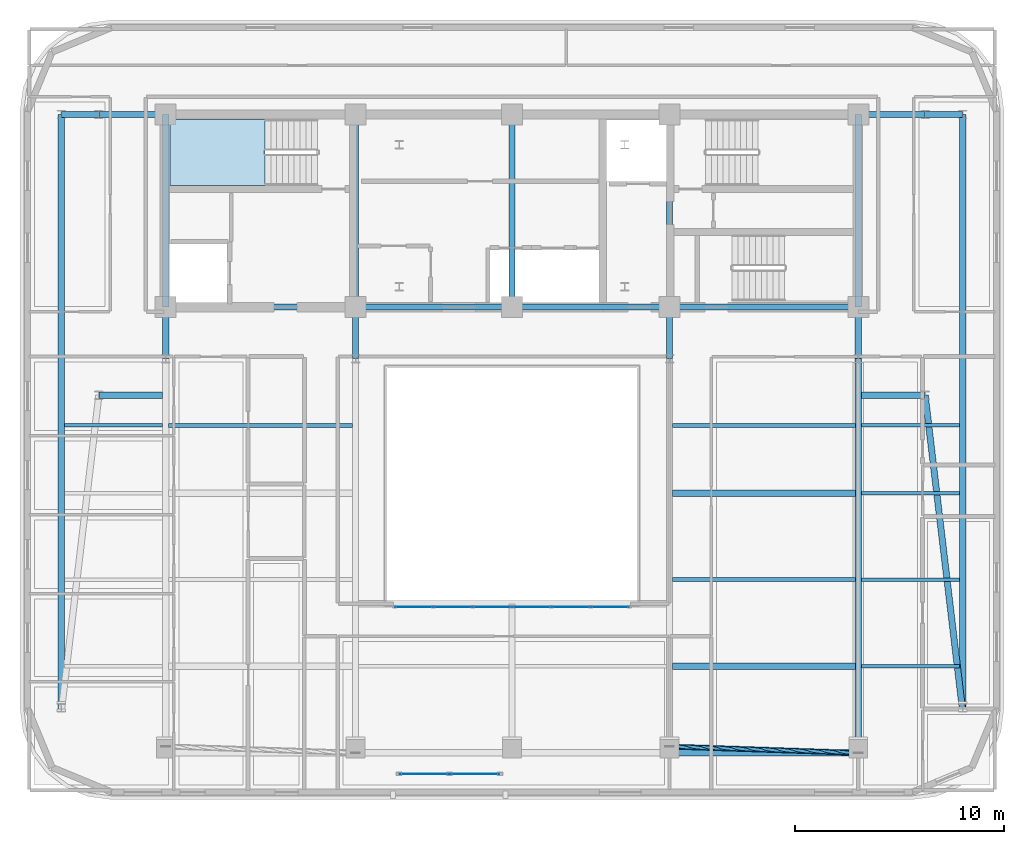
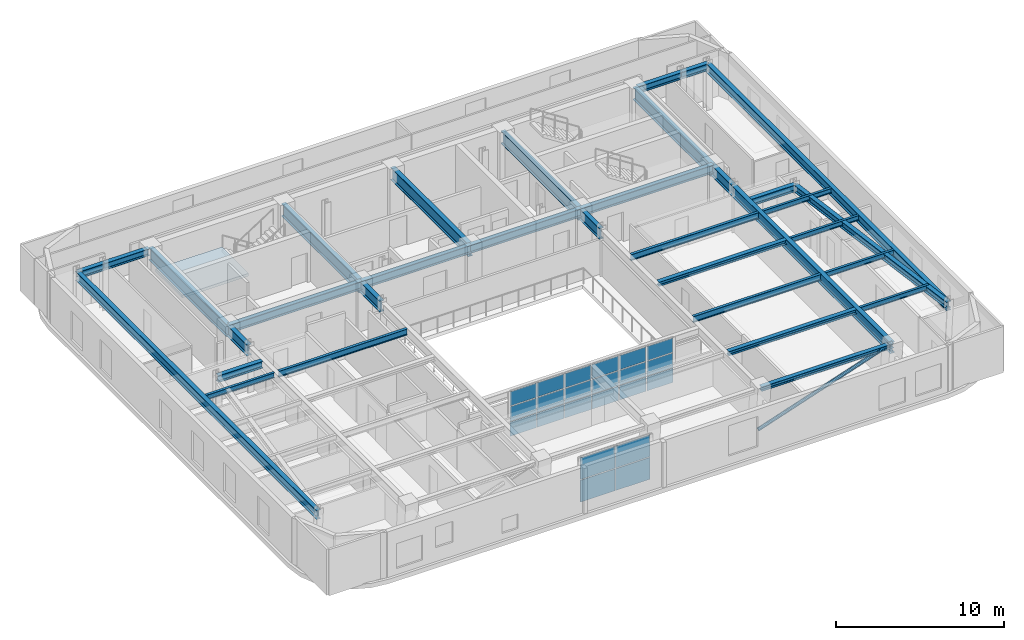
# One storey, part 3 of 14: 34 beams, 22 plates, 1 member, 1 slab, 3 elements without a shape of their own.
"""IFC4 building model written with IfcOpenShell, lengths in metres."""

from ifc_helpers import new_model, si_unit, direction, frame, origin, origin_2d, place, context, subcontext, project, spatial, polyline, rectangle, hollow_circle, i_section, outline, extrude, material, layer, layer_set, material_profile, profile_set, type_object, element, aggregate, save


model = new_model("IFC4")

# Units and contexts
model_context = context("Model", 3, precision=1e-05, world=origin(), true_north=direction((0.0, 1.0)))
body_context = subcontext(model_context, "Body", "Model", "MODEL_VIEW")
ifc_project = project(units=[si_unit("LENGTHUNIT", "METRE"), si_unit("AREAUNIT", "SQUARE_METRE"), si_unit("VOLUMEUNIT", "CUBIC_METRE"), si_unit("PLANEANGLEUNIT", "RADIAN"), si_unit("MASSUNIT", "GRAM", prefix="KILO")], contexts=[model_context])

# Site, building, storey
site_placement = place(None, origin())
site = spatial("IfcSite", under=ifc_project, at=site_placement, CompositionType="ELEMENT")
building_placement = place(site_placement, origin())
building = spatial("IfcBuilding", under=site, at=building_placement, Name="Zarnavel Station Tower", CompositionType="ELEMENT")
storey_placement = place(building_placement, frame((0.0, 0.0, 214.800048828125)))
storey = spatial("IfcBuildingStorey", under=building, at=storey_placement, Name="L58", CompositionType="ELEMENT", Elevation=214.800048828125)

# Member
ifc_material_1 = material(Name="Steel S355J2", Category="steel")
ifc_material_profile_1 = material_profile(ifc_material_1, hollow_circle(Radius=0.122314453125, WallThickness=0.010009765625, at=origin_2d()), Name="CHS244.5x10")
ifc_profile_set_1 = profile_set([ifc_material_profile_1], Name="Steel S355J2")
member_type = type_object("IfcMemberType", Name="DB_EXT_CHS245", PredefinedType="BRACE", material=ifc_profile_set_1)
member_placement = place(storey_placement, frame((36.35009765625, 6.7626953125, 0.0), z_axis=(0.937690212124, -0.031342348463, 0.346055953973), x_axis=(0.033406400472, 0.999441850438, 0.0)))
element("IfcMember", 1, at=member_placement, inside=storey, type_object=member_type, Name="L58 Persian Exterior Diagonal Frame Brace 2", PredefinedType="BRACE", context=body_context, shape_type="SweptSolid", body=[
    extrude(hollow_circle(Radius=0.122314453125, WallThickness=0.010009765625, at=origin_2d()), origin(), (0.0, 0.0, 1.0), 9.651123046875),
])

# Beams
ifc_material_2 = material(Name="Steel S355J2", Category="steel")
ifc_material_profile_2 = material_profile(ifc_material_2, i_section(OverallWidth=0.300048828125, OverallDepth=0.320068359375, WebThickness=0.011474609375, FlangeThickness=0.0205078125, FilletRadius=0.027099609375, at=origin_2d()), Name="HEB320")
ifc_profile_set_2 = profile_set([ifc_material_profile_2], Name="Steel S355J2")
beam_type_1 = type_object("IfcBeamType", Name="EB_HEB320", PredefinedType="SPANDREL", material=ifc_profile_set_2)
beam_1_placement = place(storey_placement, frame((36.35009765625, 6.460205078125, 3.179931640625), z_axis=(1.0, 0.0, 0.0), x_axis=(0.0, 1.0, 0.0)))
element("IfcBeam", 2, at=beam_1_placement, inside=storey, type_object=beam_type_1, Name="L58 South Raked Spandrel 4", PredefinedType="SPANDREL", context=body_context, shape_type="SweptSolid", body=[
    extrude(i_section(OverallWidth=0.300048828125, OverallDepth=0.320068359375, WebThickness=0.011474609375, FlangeThickness=0.0205078125, FilletRadius=0.027099609375, at=origin_2d()), origin(), (0.0, 0.0, 1.0), 9.0498046875),
])
ifc_material_3 = material(Name="Steel S355J2", Category="steel")
ifc_material_profile_3 = material_profile(ifc_material_3, i_section(OverallWidth=0.300048828125, OverallDepth=0.31005859375, WebThickness=0.009033203125, FlangeThickness=0.015380859375, FilletRadius=0.027099609375, at=origin_2d()), Name="HEA320")
ifc_profile_set_3 = profile_set([ifc_material_profile_3], Name="Steel S355J2")
beam_type_2 = type_object("IfcBeamType", Name="FB_HEA320", PredefinedType="BEAM", material=ifc_profile_set_3)
for number, where, z_axis, x_axis, name in (
    (3, (36.4951171875, 10.608154296875, 3.18505859375), (1.0, 0.0, 0.0), (0.0, 1.0, 0.0), "L58 East Bay Beam 1"),
    (4, (36.4951171875, 18.904052734375, 3.18505859375), (1.0, 0.0, 0.0), (0.0, 1.0, 0.0), "L58 East Bay Beam 3"),
):
    element("IfcBeam", number, at=place(storey_placement, frame(where, z_axis=z_axis, x_axis=x_axis)), inside=storey, type_object=beam_type_2, Name=name, PredefinedType="BEAM", context=body_context, shape_type="SweptSolid", body=[
        extrude(i_section(OverallWidth=0.300048828125, OverallDepth=0.31005859375, WebThickness=0.009033203125, FlangeThickness=0.015380859375, FilletRadius=0.027099609375, at=origin_2d()), origin(), (0.0, 0.0, 1.0), 8.759765625),
    ])
ifc_material_4 = material(Name="Steel S355J2", Category="steel")
ifc_material_profile_4 = material_profile(ifc_material_4, i_section(OverallWidth=0.18994140625, OverallDepth=0.449951171875, WebThickness=0.009521484375, FlangeThickness=0.0146484375, FilletRadius=0.02099609375, at=origin_2d()), Name="IPE450")
ifc_profile_set_4 = profile_set([ifc_material_profile_4], Name="Steel S355J2")
beam_type_3 = type_object("IfcBeamType", Name="FB_IPE450", PredefinedType="BEAM", material=ifc_profile_set_4)
beam_2_placement = place(storey_placement, frame((36.4951171875, 14.756103515625, 3.114990234375), z_axis=(1.0, 0.0, 0.0), x_axis=(0.0, 1.0, 0.0)))
element("IfcBeam", 5, at=beam_2_placement, inside=storey, type_object=beam_type_3, Name="L58 East Bay Beam 2", PredefinedType="BEAM", context=body_context, shape_type="SweptSolid", body=[
    extrude(i_section(OverallWidth=0.18994140625, OverallDepth=0.449951171875, WebThickness=0.009521484375, FlangeThickness=0.0146484375, FilletRadius=0.02099609375, at=origin_2d()), origin(), (0.0, 0.0, 1.0), 8.759765625),
])
beam_3_placement = place(storey_placement, frame((12.344970703125, 22.152099609375, 3.114990234375), z_axis=(1.0, 0.0, 0.0), x_axis=(0.0, 1.0, 0.0)))
element("IfcBeam", 6, at=beam_3_placement, inside=storey, type_object=beam_type_3, Name="L58 West Bay Beam 4", PredefinedType="BEAM", context=body_context, shape_type="SweptSolid", body=[
    extrude(i_section(OverallWidth=0.18994140625, OverallDepth=0.449951171875, WebThickness=0.009521484375, FlangeThickness=0.0146484375, FilletRadius=0.02099609375, at=origin_2d()), origin(), (0.0, 0.0, 1.0), 8.81005859375),
])
beam_4_placement = place(storey_placement, frame((36.4951171875, 22.152099609375, 3.114990234375), z_axis=(1.0, 0.0, 0.0), x_axis=(0.0, 1.0, 0.0)))
element("IfcBeam", 7, at=beam_4_placement, inside=storey, type_object=beam_type_3, Name="L58 East Bay Beam 4", PredefinedType="BEAM", context=body_context, shape_type="SweptSolid", body=[
    extrude(i_section(OverallWidth=0.18994140625, OverallDepth=0.449951171875, WebThickness=0.009521484375, FlangeThickness=0.0146484375, FilletRadius=0.02099609375, at=origin_2d()), origin(), (0.0, 0.0, 1.0), 8.759765625),
])
ifc_material_5 = material(Name="Steel S355J2", Category="steel")
ifc_material_profile_5 = material_profile(ifc_material_5, i_section(OverallWidth=0.300048828125, OverallDepth=0.5, WebThickness=0.014404296875, FlangeThickness=0.028076171875, FilletRadius=0.027099609375, at=origin_2d()), Name="HEB500")
ifc_profile_set_5 = profile_set([ifc_material_profile_5], Name="Steel S355J2")
beam_type_4 = type_object("IfcBeamType", Name="FG_HEB500", PredefinedType="USERDEFINED", material=ifc_profile_set_5)
beam_5_placement = place(storey_placement, frame((7.199951171875, 37.050048828125, 3.08984375), z_axis=(1.0, 0.0, 0.0), x_axis=(0.0, 1.0, 0.0)))
element("IfcBeam", 8, at=beam_5_placement, inside=storey, type_object=beam_type_4, Name="L58 West Wing North Tie 1", ObjectType="GIRDER", PredefinedType="USERDEFINED", context=body_context, shape_type="SweptSolid", body=[
    extrude(i_section(OverallWidth=0.300048828125, OverallDepth=0.5, WebThickness=0.014404296875, FlangeThickness=0.028076171875, FilletRadius=0.027099609375, at=origin_2d()), origin(), (0.0, 0.0, 1.0), 1.800048828125),
])
for number, where, z_axis, x_axis, name in (
    (9, (9.0, 23.60009765625, 3.08984375), (1.0, 0.0, 0.0), (0.0, 1.0, 0.0), "L58 West Wing South Tie 2"),
    (10, (9.0, 37.050048828125, 3.08984375), (1.0, 0.0, 0.0), (0.0, 1.0, 0.0), "L58 West Wing North Tie 2"),
):
    element("IfcBeam", number, at=place(storey_placement, frame(where, z_axis=z_axis, x_axis=x_axis)), inside=storey, type_object=beam_type_4, Name=name, ObjectType="GIRDER", PredefinedType="USERDEFINED", context=body_context, shape_type="SweptSolid", body=[
        extrude(i_section(OverallWidth=0.300048828125, OverallDepth=0.5, WebThickness=0.014404296875, FlangeThickness=0.028076171875, FilletRadius=0.027099609375, at=origin_2d()), origin(), (0.0, 0.0, 1.0), 3.054931640625),
    ])
for number, where, z_axis, x_axis, name in (
    (11, (45.544921875, 23.60009765625, 3.08984375), (1.0, 0.0, 0.0), (0.0, 1.0, 0.0), "L58 East Wing South Tie 1"),
    (12, (45.544921875, 37.050048828125, 3.08984375), (1.0, 0.0, 0.0), (0.0, 1.0, 0.0), "L58 East Wing North Tie 1"),
):
    element("IfcBeam", number, at=place(storey_placement, frame(where, z_axis=z_axis, x_axis=x_axis)), inside=storey, type_object=beam_type_4, Name=name, ObjectType="GIRDER", PredefinedType="USERDEFINED", context=body_context, shape_type="SweptSolid", body=[
        extrude(i_section(OverallWidth=0.300048828125, OverallDepth=0.5, WebThickness=0.014404296875, FlangeThickness=0.028076171875, FilletRadius=0.027099609375, at=origin_2d()), origin(), (0.0, 0.0, 1.0), 3.05517578125),
    ])
beam_6_placement = place(storey_placement, frame((48.60009765625, 23.60009765625, 3.08984375), z_axis=(0.117897126915, -0.993025814098, 0.0), x_axis=(0.993025814098, 0.117897126915, 0.0)))
element("IfcBeam", 13, at=beam_6_placement, inside=storey, type_object=beam_type_4, Name="L58 East Wing South Tie 2", ObjectType="GIRDER", PredefinedType="USERDEFINED", context=body_context, shape_type="SweptSolid", body=[
    extrude(i_section(OverallWidth=0.300048828125, OverallDepth=0.5, WebThickness=0.014404296875, FlangeThickness=0.028076171875, FilletRadius=0.027099609375, at=origin_2d()), origin(), (0.0, 0.0, 1.0), 15.265869140625),
])
beam_7_placement = place(storey_placement, frame((48.60009765625, 37.050048828125, 3.08984375), z_axis=(1.0, 0.0, 0.0), x_axis=(0.0, 1.0, 0.0)))
element("IfcBeam", 14, at=beam_7_placement, inside=storey, type_object=beam_type_4, Name="L58 East Wing North Tie 2", ObjectType="GIRDER", PredefinedType="USERDEFINED", context=body_context, shape_type="SweptSolid", body=[
    extrude(i_section(OverallWidth=0.300048828125, OverallDepth=0.5, WebThickness=0.014404296875, FlangeThickness=0.028076171875, FilletRadius=0.027099609375, at=origin_2d()), origin(), (0.0, 0.0, 1.0), 1.7998046875),
])
ifc_material_6 = material(Name="Steel S355J2", Category="steel")
ifc_material_profile_6 = material_profile(ifc_material_6, i_section(OverallWidth=0.300048828125, OverallDepth=0.60009765625, WebThickness=0.015380859375, FlangeThickness=0.030029296875, FilletRadius=0.027099609375, at=origin_2d()), Name="HEB600")
ifc_profile_set_6 = profile_set([ifc_material_profile_6], Name="Steel S355J2")
beam_type_5 = type_object("IfcBeamType", Name="FG_HEB600", PredefinedType="USERDEFINED", material=ifc_profile_set_6)
beam_8_placement = place(storey_placement, frame((12.199951171875, 27.820068359375, 3.0400390625), z_axis=(1.0, 0.0, 0.0), x_axis=(0.0, 1.0, 0.0)))
element("IfcBeam", 15, at=beam_8_placement, inside=storey, type_object=beam_type_5, Name="L58 Core Front Coupling Beam 1", ObjectType="GIRDER", PredefinedType="USERDEFINED", context=body_context, shape_type="SweptSolid", body=[
    extrude(i_section(OverallWidth=0.300048828125, OverallDepth=0.60009765625, WebThickness=0.015380859375, FlangeThickness=0.030029296875, FilletRadius=0.027099609375, at=origin_2d()), origin(), (0.0, 0.0, 1.0), 9.10009765625),
])
beam_9_placement = place(storey_placement, frame((21.300048828125, 27.820068359375, 3.0400390625), z_axis=(1.0, 0.0, 0.0), x_axis=(0.0, 1.0, 0.0)))
element("IfcBeam", 16, at=beam_9_placement, inside=storey, type_object=beam_type_5, Name="L58 Core Front Coupling Beam 2", ObjectType="GIRDER", PredefinedType="USERDEFINED", context=body_context, shape_type="SweptSolid", body=[
    extrude(i_section(OverallWidth=0.300048828125, OverallDepth=0.60009765625, WebThickness=0.015380859375, FlangeThickness=0.030029296875, FilletRadius=0.027099609375, at=origin_2d()), origin(), (0.0, 0.0, 1.0), 7.5),
])
beam_10_placement = place(storey_placement, frame((28.800048828125, 27.820068359375, 3.0400390625), z_axis=(1.0, 0.0, 0.0), x_axis=(0.0, 1.0, 0.0)))
element("IfcBeam", 17, at=beam_10_placement, inside=storey, type_object=beam_type_5, Name="L58 Core Front Coupling Beam 3", ObjectType="GIRDER", PredefinedType="USERDEFINED", context=body_context, shape_type="SweptSolid", body=[
    extrude(i_section(OverallWidth=0.300048828125, OverallDepth=0.60009765625, WebThickness=0.015380859375, FlangeThickness=0.030029296875, FilletRadius=0.027099609375, at=origin_2d()), origin(), (0.0, 0.0, 1.0), 7.550048828125),
])
beam_11_placement = place(storey_placement, frame((36.35009765625, 27.820068359375, 3.0400390625), z_axis=(1.0, 0.0, 0.0), x_axis=(0.0, 1.0, 0.0)))
element("IfcBeam", 18, at=beam_11_placement, inside=storey, type_object=beam_type_5, Name="L58 Core Front Coupling Beam 4", ObjectType="GIRDER", PredefinedType="USERDEFINED", context=body_context, shape_type="SweptSolid", body=[
    extrude(i_section(OverallWidth=0.300048828125, OverallDepth=0.60009765625, WebThickness=0.015380859375, FlangeThickness=0.030029296875, FilletRadius=0.027099609375, at=origin_2d()), origin(), (0.0, 0.0, 1.0), 9.0498046875),
])
ifc_material_7 = material(Name="Steel S355J2", Category="steel")
ifc_material_profile_7 = material_profile(ifc_material_7, i_section(OverallWidth=0.300048828125, OverallDepth=0.64990234375, WebThickness=0.01611328125, FlangeThickness=0.031005859375, FilletRadius=0.027099609375, at=origin_2d()), Name="HEB650")
ifc_profile_set_7 = profile_set([ifc_material_profile_7], Name="Steel S355J2")
beam_type_6 = type_object("IfcBeamType", Name="FG_HEB650", PredefinedType="USERDEFINED", material=ifc_profile_set_7)
for number, where, z_axis, x_axis, name in (
    (19, (7.199951171875, 8.440673828125, 3.014892578125), (0.0, 1.0, 0.0), (-1.0, 0.0, 0.0), "L58 Wing NS Girder 1"),
    (20, (50.39990234375, 8.440673828125, 3.014892578125), (0.0, 1.0, 0.0), (-1.0, 0.0, 0.0), "L58 Wing NS Girder 2"),
):
    element("IfcBeam", number, at=place(storey_placement, frame(where, z_axis=z_axis, x_axis=x_axis)), inside=storey, type_object=beam_type_6, Name=name, ObjectType="GIRDER", PredefinedType="USERDEFINED", context=body_context, shape_type="SweptSolid", body=[
        extrude(i_section(OverallWidth=0.300048828125, OverallDepth=0.64990234375, WebThickness=0.01611328125, FlangeThickness=0.031005859375, FilletRadius=0.027099609375, at=origin_2d()), origin(), (0.0, 0.0, 1.0), 28.609375),
    ])
ifc_material_8 = material(Name="Steel S355J2", Category="steel")
ifc_material_profile_8 = material_profile(ifc_material_8, i_section(OverallWidth=0.300048828125, OverallDepth=0.800048828125, WebThickness=0.017578125, FlangeThickness=0.032958984375, FilletRadius=0.030029296875, at=origin_2d()), Name="HEB800")
ifc_profile_set_8 = profile_set([ifc_material_profile_8], Name="Steel S355J2")
beam_type_7 = type_object("IfcBeamType", Name="FG_HEB800", PredefinedType="USERDEFINED", material=ifc_profile_set_8)
for number, where, z_axis, x_axis, name in (
    (21, (12.199951171875, 25.35009765625, 2.93994140625), (0.0, 1.0, 0.0), (-1.0, 0.0, 0.0), "L58 Inner-Zone NS Girder 1"),
    (22, (21.300048828125, 25.35009765625, 2.93994140625), (0.0, 1.0, 0.0), (-1.0, 0.0, 0.0), "L58 Inner-Zone NS Girder 2"),
    (23, (36.35009765625, 25.35009765625, 2.93994140625), (0.0, 1.0, 0.0), (-1.0, 0.0, 0.0), "L58 Inner-Zone NS Girder 4"),
):
    element("IfcBeam", number, at=place(storey_placement, frame(where, z_axis=z_axis, x_axis=x_axis)), inside=storey, type_object=beam_type_7, Name=name, ObjectType="GIRDER", PredefinedType="USERDEFINED", context=body_context, shape_type="SweptSolid", body=[
        extrude(i_section(OverallWidth=0.300048828125, OverallDepth=0.800048828125, WebThickness=0.017578125, FlangeThickness=0.032958984375, FilletRadius=0.030029296875, at=origin_2d()), origin(), (0.0, 0.0, 1.0), 2.469970703125),
    ])
beam_12_placement = place(storey_placement, frame((45.39990234375, 6.460205078125, 2.93994140625), z_axis=(0.0, 1.0, 0.0), x_axis=(-1.0, 0.0, 0.0)))
element("IfcBeam", 24, at=beam_12_placement, inside=storey, type_object=beam_type_7, Name="L58 South-Zone NS Girder 5", ObjectType="GIRDER", PredefinedType="USERDEFINED", context=body_context, shape_type="SweptSolid", body=[
    extrude(i_section(OverallWidth=0.300048828125, OverallDepth=0.800048828125, WebThickness=0.017578125, FlangeThickness=0.032958984375, FilletRadius=0.030029296875, at=origin_2d()), origin(), (0.0, 0.0, 1.0), 18.889892578125),
])
beam_13_placement = place(storey_placement, frame((45.39990234375, 25.35009765625, 2.93994140625), z_axis=(0.0, 1.0, 0.0), x_axis=(-1.0, 0.0, 0.0)))
element("IfcBeam", 25, at=beam_13_placement, inside=storey, type_object=beam_type_7, Name="L58 Inner-Zone NS Girder 5", ObjectType="GIRDER", PredefinedType="USERDEFINED", context=body_context, shape_type="SweptSolid", body=[
    extrude(i_section(OverallWidth=0.300048828125, OverallDepth=0.800048828125, WebThickness=0.017578125, FlangeThickness=0.032958984375, FilletRadius=0.030029296875, at=origin_2d()), origin(), (0.0, 0.0, 1.0), 2.469970703125),
])
ifc_material_9 = material(Name="Steel S355J2", Category="steel")
ifc_material_profile_9 = material_profile(ifc_material_9, i_section(OverallWidth=0.169921875, OverallDepth=0.360107421875, WebThickness=0.008056640625, FlangeThickness=0.0126953125, FilletRadius=0.01806640625, at=origin_2d()), Name="IPE360")
ifc_profile_set_9 = profile_set([ifc_material_profile_9], Name="Steel S355J2")
beam_type_8 = type_object("IfcBeamType", Name="FJ_IPE360", PredefinedType="JOIST", material=ifc_profile_set_9)
for number, where, z_axis, x_axis, name in (
    (26, (45.544921875, 10.608154296875, 3.159912109375), (1.0, 0.0, 0.0), (0.0, 1.0, 0.0), "L58 East Wing Joist 1"),
    (27, (45.544921875, 14.756103515625, 3.159912109375), (1.0, 0.0, 0.0), (0.0, 1.0, 0.0), "L58 East Wing Joist 2"),
    (28, (45.544921875, 18.904052734375, 3.159912109375), (1.0, 0.0, 0.0), (0.0, 1.0, 0.0), "L58 East Wing Joist 3"),
    (29, (7.344970703125, 22.152099609375, 3.159912109375), (1.0, 0.0, 0.0), (0.0, 1.0, 0.0), "L58 West Wing Joist 4"),
    (30, (45.544921875, 22.152099609375, 3.159912109375), (1.0, 0.0, 0.0), (0.0, 1.0, 0.0), "L58 East Wing Joist 4"),
):
    element("IfcBeam", number, at=place(storey_placement, frame(where, z_axis=z_axis, x_axis=x_axis)), inside=storey, type_object=beam_type_8, Name=name, PredefinedType="JOIST", context=body_context, shape_type="SweptSolid", body=[
        extrude(i_section(OverallWidth=0.169921875, OverallDepth=0.360107421875, WebThickness=0.008056640625, FlangeThickness=0.0126953125, FilletRadius=0.01806640625, at=origin_2d()), origin(), (0.0, 0.0, 1.0), 4.7099609375),
    ])
ifc_material_10 = material(Name="Steel S460M", Category="steel")
ifc_material_profile_10 = material_profile(ifc_material_10, i_section(OverallWidth=0.302001953125, OverallDepth=0.909912109375, WebThickness=0.02099609375, FlangeThickness=0.0400390625, FilletRadius=0.030029296875, at=origin_2d()), Name="HEM900")
ifc_profile_set_10 = profile_set([ifc_material_profile_10], Name="Steel S460M")
beam_type_9 = type_object("IfcBeamType", Name="TG_HEM900", PredefinedType="USERDEFINED", material=ifc_profile_set_10)
for number, where, z_axis, x_axis, name in (
    (31, (12.199951171875, 27.820068359375, 2.885009765625), (0.0, 1.0, 0.0), (-1.0, 0.0, 0.0), "L58 Core Spine Coupling Girder 1"),
    (32, (21.300048828125, 27.820068359375, 2.885009765625), (0.0, 1.0, 0.0), (-1.0, 0.0, 0.0), "L58 Core Spine Coupling Girder 2"),
    (33, (28.800048828125, 27.820068359375, 2.885009765625), (0.0, 1.0, 0.0), (-1.0, 0.0, 0.0), "L58 Core Spine Coupling Girder 3"),
    (34, (36.35009765625, 27.820068359375, 2.885009765625), (0.0, 1.0, 0.0), (-1.0, 0.0, 0.0), "L58 Core Spine Coupling Girder 4"),
    (35, (45.39990234375, 27.820068359375, 2.885009765625), (0.0, 1.0, 0.0), (-1.0, 0.0, 0.0), "L58 Core Spine Coupling Girder 5"),
):
    element("IfcBeam", number, at=place(storey_placement, frame(where, z_axis=z_axis, x_axis=x_axis)), inside=storey, type_object=beam_type_9, Name=name, ObjectType="GIRDER", PredefinedType="USERDEFINED", context=body_context, shape_type="SweptSolid", body=[
        extrude(i_section(OverallWidth=0.302001953125, OverallDepth=0.909912109375, WebThickness=0.02099609375, FlangeThickness=0.0400390625, FilletRadius=0.030029296875, at=origin_2d()), origin(), (0.0, 0.0, 1.0), 9.22998046875),
    ])

# Curtain wall, plates
ifc_material_11 = material(Name="Aluminium Dark Anodised and Solar-Control Glass", Category="aluminium")
ifc_layer_1 = layer(ifc_material_11, 0.179931640625)
ifc_layer_set_1 = layer_set([ifc_layer_1], Name="CWS5")
curtain_wall_type_1 = type_object("IfcCurtainWallType", Name="CWS5", PredefinedType="NOTDEFINED", material=ifc_layer_set_1)
curtain_wall_1_placement = place(storey_placement, origin())
curtain_wall_1 = element("IfcCurtainWall", 36, at=curtain_wall_1_placement, inside=storey, type_object=curtain_wall_type_1, Name="L58 Curtain Wall CWS5-L58-AS", PredefinedType="NOTDEFINED")
ifc_material_12 = material(Name="Double Low-E Dark Solar-Control Glass", Category="glass")
ifc_layer_2 = layer(ifc_material_12, 0.033935546875)
ifc_layer_set_2 = layer_set([ifc_layer_2], Name="CWS5_PNL")
plate_type_1 = type_object("IfcPlateType", Name="CWS5_PNL", PredefinedType="CURTAIN_PANEL", material=ifc_layer_set_2)
plate_1_placement = place(storey_placement, frame((24.106689453125, 13.449951171875, 0.06005859375), z_axis=(0.0, 0.0, 1.0), x_axis=(1.0, 0.0, 0.0)))
plate_1 = element("IfcPlate", 37, at=plate_1_placement, type_object=plate_type_1, Name="CW5 panel 1.1", PredefinedType="CURTAIN_PANEL", context=body_context, shape_type="SweptSolid", body=[
    extrude(rectangle(XDim=1.793212890625, YDim=0.028076171875, at=origin_2d()), origin(), (0.0, 0.0, 1.0), 1.023193359375),
])
plate_2_placement = place(storey_placement, frame((24.106689453125, 13.449951171875, 1.14306640625), z_axis=(0.0, 0.0, 1.0), x_axis=(1.0, 0.0, 0.0)))
plate_2 = element("IfcPlate", 38, at=plate_2_placement, type_object=plate_type_1, Name="CW5 panel 1.2", PredefinedType="CURTAIN_PANEL", context=body_context, shape_type="SweptSolid", body=[
    extrude(rectangle(XDim=1.793212890625, YDim=0.028076171875, at=origin_2d()), origin(), (0.0, 0.0, 1.0), 1.053466796875),
])
plate_3_placement = place(storey_placement, frame((24.106689453125, 13.449951171875, 2.2568359375), z_axis=(0.0, 0.0, 1.0), x_axis=(1.0, 0.0, 0.0)))
plate_3 = element("IfcPlate", 39, at=plate_3_placement, type_object=plate_type_1, Name="CW5 panel 1.3", PredefinedType="CURTAIN_PANEL", context=body_context, shape_type="SweptSolid", body=[
    extrude(rectangle(XDim=1.793212890625, YDim=0.028076171875, at=origin_2d()), origin(), (0.0, 0.0, 1.0), 1.023193359375),
])
plate_4_placement = place(storey_placement, frame((25.97509765625, 13.449951171875, 0.06005859375), z_axis=(0.0, 0.0, 1.0), x_axis=(1.0, 0.0, 0.0)))
plate_4 = element("IfcPlate", 40, at=plate_4_placement, type_object=plate_type_1, Name="CW5 panel 2.1", PredefinedType="CURTAIN_PANEL", context=body_context, shape_type="SweptSolid", body=[
    extrude(rectangle(XDim=1.8232421875, YDim=0.028076171875, at=origin_2d()), origin(), (0.0, 0.0, 1.0), 1.023193359375),
])
plate_5_placement = place(storey_placement, frame((25.97509765625, 13.449951171875, 1.14306640625), z_axis=(0.0, 0.0, 1.0), x_axis=(1.0, 0.0, 0.0)))
plate_5 = element("IfcPlate", 41, at=plate_5_placement, type_object=plate_type_1, Name="CW5 panel 2.2", PredefinedType="CURTAIN_PANEL", context=body_context, shape_type="SweptSolid", body=[
    extrude(rectangle(XDim=1.8232421875, YDim=0.028076171875, at=origin_2d()), origin(), (0.0, 0.0, 1.0), 1.053466796875),
])
plate_6_placement = place(storey_placement, frame((25.97509765625, 13.449951171875, 2.2568359375), z_axis=(0.0, 0.0, 1.0), x_axis=(1.0, 0.0, 0.0)))
plate_6 = element("IfcPlate", 42, at=plate_6_placement, type_object=plate_type_1, Name="CW5 panel 2.3", PredefinedType="CURTAIN_PANEL", context=body_context, shape_type="SweptSolid", body=[
    extrude(rectangle(XDim=1.8232421875, YDim=0.028076171875, at=origin_2d()), origin(), (0.0, 0.0, 1.0), 1.023193359375),
])
plate_7_placement = place(storey_placement, frame((27.8583984375, 13.449951171875, 0.06005859375), z_axis=(0.0, 0.0, 1.0), x_axis=(1.0, 0.0, 0.0)))
plate_7 = element("IfcPlate", 43, at=plate_7_placement, type_object=plate_type_1, Name="CW5 panel 3.1", PredefinedType="CURTAIN_PANEL", context=body_context, shape_type="SweptSolid", body=[
    extrude(rectangle(XDim=1.8232421875, YDim=0.028076171875, at=origin_2d()), origin(), (0.0, 0.0, 1.0), 1.023193359375),
])
plate_8_placement = place(storey_placement, frame((27.8583984375, 13.449951171875, 1.14306640625), z_axis=(0.0, 0.0, 1.0), x_axis=(1.0, 0.0, 0.0)))
plate_8 = element("IfcPlate", 44, at=plate_8_placement, type_object=plate_type_1, Name="CW5 panel 3.2", PredefinedType="CURTAIN_PANEL", context=body_context, shape_type="SweptSolid", body=[
    extrude(rectangle(XDim=1.8232421875, YDim=0.028076171875, at=origin_2d()), origin(), (0.0, 0.0, 1.0), 1.053466796875),
])
plate_9_placement = place(storey_placement, frame((27.8583984375, 13.449951171875, 2.2568359375), z_axis=(0.0, 0.0, 1.0), x_axis=(1.0, 0.0, 0.0)))
plate_9 = element("IfcPlate", 45, at=plate_9_placement, type_object=plate_type_1, Name="CW5 panel 3.3", PredefinedType="CURTAIN_PANEL", context=body_context, shape_type="SweptSolid", body=[
    extrude(rectangle(XDim=1.8232421875, YDim=0.028076171875, at=origin_2d()), origin(), (0.0, 0.0, 1.0), 1.023193359375),
])
plate_10_placement = place(storey_placement, frame((29.74169921875, 13.449951171875, 0.06005859375), z_axis=(0.0, 0.0, 1.0), x_axis=(1.0, 0.0, 0.0)))
plate_10 = element("IfcPlate", 46, at=plate_10_placement, type_object=plate_type_1, Name="CW5 panel 4.1", PredefinedType="CURTAIN_PANEL", context=body_context, shape_type="SweptSolid", body=[
    extrude(rectangle(XDim=1.8232421875, YDim=0.028076171875, at=origin_2d()), origin(), (0.0, 0.0, 1.0), 1.023193359375),
])
plate_11_placement = place(storey_placement, frame((29.74169921875, 13.449951171875, 1.14306640625), z_axis=(0.0, 0.0, 1.0), x_axis=(1.0, 0.0, 0.0)))
plate_11 = element("IfcPlate", 47, at=plate_11_placement, type_object=plate_type_1, Name="CW5 panel 4.2", PredefinedType="CURTAIN_PANEL", context=body_context, shape_type="SweptSolid", body=[
    extrude(rectangle(XDim=1.8232421875, YDim=0.028076171875, at=origin_2d()), origin(), (0.0, 0.0, 1.0), 1.053466796875),
])
plate_12_placement = place(storey_placement, frame((29.74169921875, 13.449951171875, 2.2568359375), z_axis=(0.0, 0.0, 1.0), x_axis=(1.0, 0.0, 0.0)))
plate_12 = element("IfcPlate", 48, at=plate_12_placement, type_object=plate_type_1, Name="CW5 panel 4.3", PredefinedType="CURTAIN_PANEL", context=body_context, shape_type="SweptSolid", body=[
    extrude(rectangle(XDim=1.8232421875, YDim=0.028076171875, at=origin_2d()), origin(), (0.0, 0.0, 1.0), 1.023193359375),
])
plate_13_placement = place(storey_placement, frame((31.625, 13.449951171875, 0.06005859375), z_axis=(0.0, 0.0, 1.0), x_axis=(1.0, 0.0, 0.0)))
plate_13 = element("IfcPlate", 49, at=plate_13_placement, type_object=plate_type_1, Name="CW5 panel 5.1", PredefinedType="CURTAIN_PANEL", context=body_context, shape_type="SweptSolid", body=[
    extrude(rectangle(XDim=1.8232421875, YDim=0.028076171875, at=origin_2d()), origin(), (0.0, 0.0, 1.0), 1.023193359375),
])
plate_14_placement = place(storey_placement, frame((31.625, 13.449951171875, 1.14306640625), z_axis=(0.0, 0.0, 1.0), x_axis=(1.0, 0.0, 0.0)))
plate_14 = element("IfcPlate", 50, at=plate_14_placement, type_object=plate_type_1, Name="CW5 panel 5.2", PredefinedType="CURTAIN_PANEL", context=body_context, shape_type="SweptSolid", body=[
    extrude(rectangle(XDim=1.8232421875, YDim=0.028076171875, at=origin_2d()), origin(), (0.0, 0.0, 1.0), 1.053466796875),
])
plate_15_placement = place(storey_placement, frame((31.625, 13.449951171875, 2.2568359375), z_axis=(0.0, 0.0, 1.0), x_axis=(1.0, 0.0, 0.0)))
plate_15 = element("IfcPlate", 51, at=plate_15_placement, type_object=plate_type_1, Name="CW5 panel 5.3", PredefinedType="CURTAIN_PANEL", context=body_context, shape_type="SweptSolid", body=[
    extrude(rectangle(XDim=1.8232421875, YDim=0.028076171875, at=origin_2d()), origin(), (0.0, 0.0, 1.0), 1.023193359375),
])
plate_16_placement = place(storey_placement, frame((33.493408203125, 13.449951171875, 0.06005859375), z_axis=(0.0, 0.0, 1.0), x_axis=(1.0, 0.0, 0.0)))
plate_16 = element("IfcPlate", 52, at=plate_16_placement, type_object=plate_type_1, Name="CW5 panel 6.1", PredefinedType="CURTAIN_PANEL", context=body_context, shape_type="SweptSolid", body=[
    extrude(rectangle(XDim=1.793212890625, YDim=0.028076171875, at=origin_2d()), origin(), (0.0, 0.0, 1.0), 1.023193359375),
])
plate_17_placement = place(storey_placement, frame((33.493408203125, 13.449951171875, 1.14306640625), z_axis=(0.0, 0.0, 1.0), x_axis=(1.0, 0.0, 0.0)))
plate_17 = element("IfcPlate", 53, at=plate_17_placement, type_object=plate_type_1, Name="CW5 panel 6.2", PredefinedType="CURTAIN_PANEL", context=body_context, shape_type="SweptSolid", body=[
    extrude(rectangle(XDim=1.793212890625, YDim=0.028076171875, at=origin_2d()), origin(), (0.0, 0.0, 1.0), 1.053466796875),
])
plate_18_placement = place(storey_placement, frame((33.493408203125, 13.449951171875, 2.2568359375), z_axis=(0.0, 0.0, 1.0), x_axis=(1.0, 0.0, 0.0)))
plate_18 = element("IfcPlate", 54, at=plate_18_placement, type_object=plate_type_1, Name="CW5 panel 6.3", PredefinedType="CURTAIN_PANEL", context=body_context, shape_type="SweptSolid", body=[
    extrude(rectangle(XDim=1.793212890625, YDim=0.028076171875, at=origin_2d()), origin(), (0.0, 0.0, 1.0), 1.023193359375),
])
aggregate(curtain_wall_1, [plate_1, plate_2, plate_3, plate_4, plate_5, plate_6, plate_7, plate_8, plate_9, plate_10, plate_11, plate_12, plate_13, plate_14, plate_15, plate_16, plate_17, plate_18])

ifc_material_13 = material(Name="Aluminium Dark Anodised and Solar-Control Glass", Category="aluminium")
ifc_layer_3 = layer(ifc_material_13, 0.179931640625)
ifc_layer_set_3 = layer_set([ifc_layer_3], Name="CWS6")
curtain_wall_type_2 = type_object("IfcCurtainWallType", Name="CWS6", PredefinedType="NOTDEFINED", material=ifc_layer_set_3)
curtain_wall_2_placement = place(storey_placement, origin())
curtain_wall_2 = element("IfcCurtainWall", 55, at=curtain_wall_2_placement, inside=storey, type_object=curtain_wall_type_2, Name="L58 Curtain Wall CWS6-LOG-L58", PredefinedType="NOTDEFINED")
ifc_material_14 = material(Name="Double Low-E Dark Solar-Control Glass", Category="glass")
ifc_layer_4 = layer(ifc_material_14, 0.0380859375)
ifc_layer_set_4 = layer_set([ifc_layer_4], Name="CWS6_PNL")
plate_type_2 = type_object("IfcPlateType", Name="CWS6_PNL", PredefinedType="CURTAIN_PANEL", material=ifc_layer_set_4)
plate_19_placement = place(storey_placement, frame((24.590087890625, 5.449951171875, 0.059814453125), z_axis=(0.0, 0.0, 1.0), x_axis=(1.0, 0.0, 0.0)))
plate_19 = element("IfcPlate", 56, at=plate_19_placement, type_object=plate_type_2, Name="CW6 panel 1.1", PredefinedType="CURTAIN_PANEL", context=body_context, shape_type="SweptSolid", body=[
    extrude(rectangle(XDim=2.360107421875, YDim=0.028076171875, at=origin_2d()), origin(), (0.0, 0.0, 1.0), 1.580078125),
])
plate_20_placement = place(storey_placement, frame((24.590087890625, 5.449951171875, 1.699951171875), z_axis=(0.0, 0.0, 1.0), x_axis=(1.0, 0.0, 0.0)))
plate_20 = element("IfcPlate", 57, at=plate_20_placement, type_object=plate_type_2, Name="CW6 panel 1.2", PredefinedType="CURTAIN_PANEL", context=body_context, shape_type="SweptSolid", body=[
    extrude(rectangle(XDim=2.360107421875, YDim=0.028076171875, at=origin_2d()), origin(), (0.0, 0.0, 1.0), 1.580078125),
])
plate_21_placement = place(storey_placement, frame((27.010009765625, 5.449951171875, 0.059814453125), z_axis=(0.0, 0.0, 1.0), x_axis=(1.0, 0.0, 0.0)))
plate_21 = element("IfcPlate", 58, at=plate_21_placement, type_object=plate_type_2, Name="CW6 panel 2.1", PredefinedType="CURTAIN_PANEL", context=body_context, shape_type="SweptSolid", body=[
    extrude(rectangle(XDim=2.360107421875, YDim=0.028076171875, at=origin_2d()), origin(), (0.0, 0.0, 1.0), 1.580078125),
])
plate_22_placement = place(storey_placement, frame((27.010009765625, 5.449951171875, 1.699951171875), z_axis=(0.0, 0.0, 1.0), x_axis=(1.0, 0.0, 0.0)))
plate_22 = element("IfcPlate", 59, at=plate_22_placement, type_object=plate_type_2, Name="CW6 panel 2.2", PredefinedType="CURTAIN_PANEL", context=body_context, shape_type="SweptSolid", body=[
    extrude(rectangle(XDim=2.360107421875, YDim=0.028076171875, at=origin_2d()), origin(), (0.0, 0.0, 1.0), 1.580078125),
])
aggregate(curtain_wall_2, [plate_19, plate_20, plate_21, plate_22])

# Stair, slab
ifc_material_15 = material(Name="Concrete C45/55", Category="concrete")
stair_type = type_object("IfcStairType", Name="ST_CORE_150", PredefinedType="HALF_TURN_STAIR", material=ifc_material_15)
stair_placement = place(storey_placement, origin())
stair = element("IfcStair", 60, at=stair_placement, inside=storey, type_object=stair_type, Name="L58 Core Exit Stair ST1", PredefinedType="HALF_TURN_STAIR")
ifc_material_16 = material(Name="Concrete C45/55", Category="concrete")
ifc_layer_5 = layer(ifc_material_16, 0.199951171875)
ifc_layer_set_5 = layer_set([ifc_layer_5], Name="SL_STAIR_LAND_200")
slab_type = type_object("IfcSlabType", Name="SL_STAIR_LAND_200", PredefinedType="LANDING", material=ifc_layer_set_5)
slab_placement = place(storey_placement, frame((0.0, 0.0, 1.599853515625)))
slab = element("IfcSlab", 61, at=slab_placement, type_object=slab_type, Name="ST1 landing 1", PredefinedType="LANDING", context=body_context, shape_type="SweptSolid", body=[
    extrude(outline(polyline([(16.9599609375, 36.820068359375), (12.39990234375, 36.820068359375), (12.39990234375, 33.659912109375), (16.9599609375, 33.659912109375), (16.9599609375, 36.820068359375)])), origin(), (0.0, 0.0, 1.0), 0.2001953125),
])
aggregate(stair, [slab])

save(model, "model.ifc")
